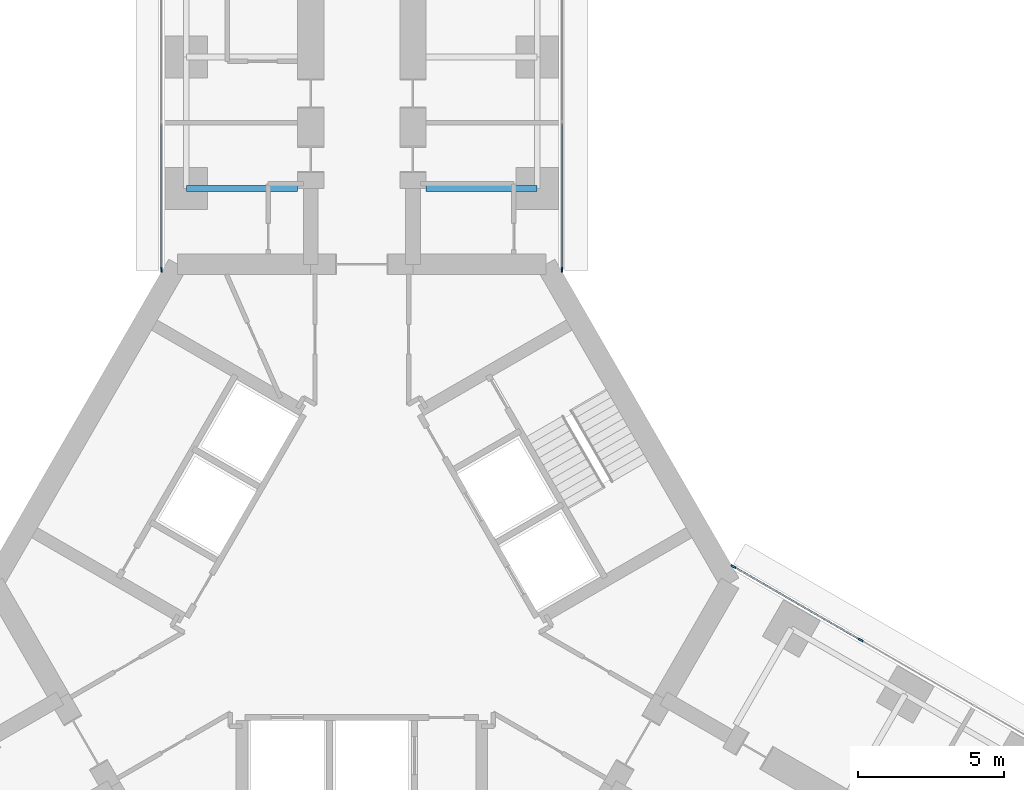
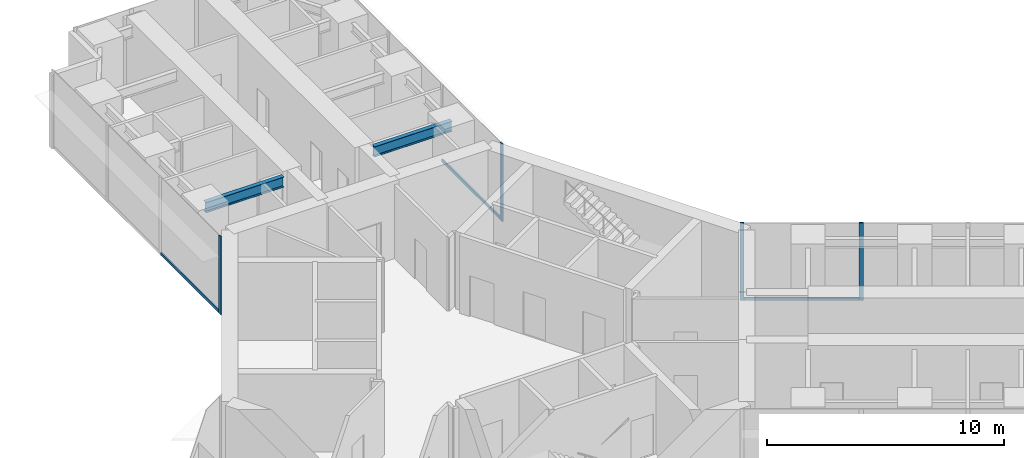
# One storey, part 11 of 24: 7 members, 2 beams, 3 elements without a shape of their own.
"""IFC4 building model written with IfcOpenShell, lengths in metres."""

from ifc_helpers import new_model, si_unit, direction, frame, origin, origin_2d, place, context, subcontext, project, spatial, rectangle, i_section, extrude, material, material_profile, profile_set, type_object, element, aggregate, save


model = new_model("IFC4")

# Units and contexts
model_context = context("Model", 3, precision=1e-05, world=origin(), true_north=direction((0.0, 1.0)))
body_context = subcontext(model_context, "Body", "Model", "MODEL_VIEW")
ifc_project = project(units=[si_unit("LENGTHUNIT", "METRE"), si_unit("AREAUNIT", "SQUARE_METRE"), si_unit("VOLUMEUNIT", "CUBIC_METRE"), si_unit("PLANEANGLEUNIT", "RADIAN"), si_unit("MASSUNIT", "GRAM", prefix="KILO")], contexts=[model_context])

# Site, building, storey
site_placement = place(None, origin())
site = spatial("IfcSite", under=ifc_project, at=site_placement, CompositionType="ELEMENT")
building_placement = place(site_placement, origin())
building = spatial("IfcBuilding", under=site, at=building_placement, Name="Upepo Twin Towers", CompositionType="ELEMENT")
storey_placement = place(building_placement, frame((0.0, 0.0, 56.5)))
storey = spatial("IfcBuildingStorey", under=building, at=storey_placement, Name="L13", CompositionType="ELEMENT", Elevation=56.5)

# Beams
ifc_material_1 = material(Name="Steel S355", Category="steel")
ifc_material_profile_1 = material_profile(ifc_material_1, i_section(OverallWidth=0.209228515625, OverallDepth=0.533203125, WebThickness=0.010009765625, FlangeThickness=0.015625, FilletRadius=0.0126953125, at=origin_2d()), Name="UB 533x210x92")
ifc_profile_set_1 = profile_set([ifc_material_profile_1], Name="Steel S355")
beam_type = type_object("IfcBeamType", Name="Beam UB 533x210x92", PredefinedType="BEAM", material=ifc_profile_set_1)
for number, where, z_axis, x_axis, name in (
    (1, (52.5, -4.5, 3.533447265625), (1.0, 0.0, 0.0), (0.0, 1.0, 0.0), "T2 girder AL at 13.5"),
    (2, (64.5, -4.5, 3.533447265625), (-1.0, 0.0, 0.0), (0.0, -1.0, 0.0), "T2 girder AR at 13.5"),
):
    element("IfcBeam", number, at=place(storey_placement, frame(where, z_axis=z_axis, x_axis=x_axis)), inside=storey, type_object=beam_type, Name=name, PredefinedType="BEAM", context=body_context, shape_type="SweptSolid", body=[
        extrude(i_section(OverallWidth=0.209228515625, OverallDepth=0.533203125, WebThickness=0.010009765625, FlangeThickness=0.015625, FilletRadius=0.0126953125, at=origin_2d()), origin(), (0.0, 0.0, 1.0), 3.800048828125),
    ])

# Curtain wall, member
ifc_material_2 = material(Name="Aluminium and fritted glass", Category="aluminium")
curtain_wall_type = type_object("IfcCurtainWallType", Name="Tower curtain wall TW1, fritted glass", PredefinedType="NOTDEFINED", material=ifc_material_2)
curtain_wall_1_placement = place(storey_placement, origin())
curtain_wall_1 = element("IfcCurtainWall", 3, at=curtain_wall_1_placement, inside=storey, type_object=curtain_wall_type, Name="T2 L13 wing A flank L curtain wall", PredefinedType="NOTDEFINED")
ifc_material_3 = material(Name="Aluminium mullion", Category="aluminium")
ifc_material_profile_2 = material_profile(ifc_material_3, rectangle(XDim=0.06494140625, YDim=0.179931640625, at=origin_2d()), Name="MULLION 65x180")
ifc_profile_set_2 = profile_set([ifc_material_profile_2], Name="Aluminium mullion")
member_type_1 = type_object("IfcMemberType", Name="Mullion 65x180 TW1", PredefinedType="MULLION", material=ifc_profile_set_2)
member_1_placement = place(storey_placement, frame((51.64990234375, -7.2802734375, 0.0), z_axis=(0.0, 0.0, 1.0), x_axis=(-1.0, 0.0, 0.0)))
member_1 = element("IfcMember", 4, at=member_1_placement, type_object=member_type_1, Name="T2 L13 wing A flank L curtain wall mullion 1", PredefinedType="MULLION", context=body_context, shape_type="SweptSolid", body=[
    extrude(rectangle(XDim=0.06494140625, YDim=0.179931640625, at=origin_2d()), origin(), (0.0, 0.0, 1.0), 4.0),
])

curtain_wall_2_placement = place(storey_placement, origin())
curtain_wall_2 = element("IfcCurtainWall", 5, at=curtain_wall_2_placement, inside=storey, type_object=curtain_wall_type, Name="T2 L13 wing A flank R curtain wall", PredefinedType="NOTDEFINED")
member_2_placement = place(storey_placement, frame((65.35009765625, -7.2802734375, 0.0), z_axis=(0.0, 0.0, 1.0), x_axis=(1.0, 0.0, 0.0)))
member_2 = element("IfcMember", 6, at=member_2_placement, type_object=member_type_1, Name="T2 L13 wing A flank R curtain wall mullion 4", PredefinedType="MULLION", context=body_context, shape_type="SweptSolid", body=[
    extrude(rectangle(XDim=0.06494140625, YDim=0.179931640625, at=origin_2d()), origin(), (0.0, 0.0, 1.0), 4.0),
])

# Curtain wall, members
curtain_wall_3_placement = place(storey_placement, origin())
curtain_wall_3 = element("IfcCurtainWall", 7, at=curtain_wall_3_placement, inside=storey, type_object=curtain_wall_type, Name="T2 L13 wing C flank L curtain wall", PredefinedType="NOTDEFINED")
member_3_placement = place(storey_placement, frame((71.20849609375, -17.427490234375, 0.0), z_axis=(0.0, 0.0, 1.0), x_axis=(0.500000024426, 0.866025389682, 0.0)))
member_3 = element("IfcMember", 8, at=member_3_placement, type_object=member_type_1, Name="T2 L13 wing C flank L curtain wall mullion 1", PredefinedType="MULLION", context=body_context, shape_type="SweptSolid", body=[
    extrude(rectangle(XDim=0.06494140625, YDim=0.179931640625, at=origin_2d()), origin(), (0.0, 0.0, 1.0), 4.0),
])
member_4_placement = place(storey_placement, frame((75.56494140625, -19.942626953125, 0.0), z_axis=(0.0, 0.0, 1.0), x_axis=(0.500000024426, 0.866025389682, 0.0)))
member_4 = element("IfcMember", 9, at=member_4_placement, type_object=member_type_1, Name="T2 L13 wing C flank L curtain wall mullion 2", PredefinedType="MULLION", context=body_context, shape_type="SweptSolid", body=[
    extrude(rectangle(XDim=0.06494140625, YDim=0.179931640625, at=origin_2d()), origin(), (0.0, 0.0, 1.0), 4.0),
])

# Member
ifc_material_4 = material(Name="Aluminium transom", Category="aluminium")
ifc_material_profile_3 = material_profile(ifc_material_4, rectangle(XDim=0.06494140625, YDim=0.14990234375, at=origin_2d()), Name="TRANSOM 65x150")
ifc_profile_set_3 = profile_set([ifc_material_profile_3], Name="Aluminium transom")
member_type_2 = type_object("IfcMemberType", Name="Transom 65x150 TW1", PredefinedType="USERDEFINED", material=ifc_profile_set_3)
member_5_placement = place(storey_placement, frame((51.64990234375, -7.247802734375, 0.074951171875), z_axis=(0.0, 1.0, 0.0), x_axis=(-1.0, 0.0, 0.0)))
member_5 = element("IfcMember", 10, at=member_5_placement, type_object=member_type_2, Name="T2 L13 wing A flank L curtain wall transom 1", ObjectType="TRANSOM", PredefinedType="USERDEFINED", context=body_context, shape_type="SweptSolid", body=[
    extrude(rectangle(XDim=0.06494140625, YDim=0.14990234375, at=origin_2d()), origin(), (0.0, 0.0, 1.0), 4.96533203125),
])

aggregate(curtain_wall_1, [member_1, member_5])

member_6_placement = place(storey_placement, frame((65.35009765625, -2.282470703125, 0.074951171875), z_axis=(0.0, -1.0, 0.0), x_axis=(1.0, 0.0, 0.0)))
member_6 = element("IfcMember", 11, at=member_6_placement, type_object=member_type_2, Name="T2 L13 wing A flank R curtain wall transom 3", ObjectType="TRANSOM", PredefinedType="USERDEFINED", context=body_context, shape_type="SweptSolid", body=[
    extrude(rectangle(XDim=0.06494140625, YDim=0.14990234375, at=origin_2d()), origin(), (0.0, 0.0, 1.0), 4.96533203125),
])

aggregate(curtain_wall_2, [member_2, member_6])

member_7_placement = place(storey_placement, frame((71.236572265625, -17.44384765625, 0.074951171875), z_axis=(0.866034933967, -0.499983492876, 0.0), x_axis=(0.499983492876, 0.866034933967, 0.0)))
member_7 = element("IfcMember", 12, at=member_7_placement, type_object=member_type_2, Name="T2 L13 wing C flank L curtain wall transom 1", ObjectType="TRANSOM", PredefinedType="USERDEFINED", context=body_context, shape_type="SweptSolid", body=[
    extrude(rectangle(XDim=0.06494140625, YDim=0.14990234375, at=origin_2d()), origin(), (0.0, 0.0, 1.0), 4.965576171875),
])

aggregate(curtain_wall_3, [member_3, member_4, member_7])

save(model, "model.ifc")
